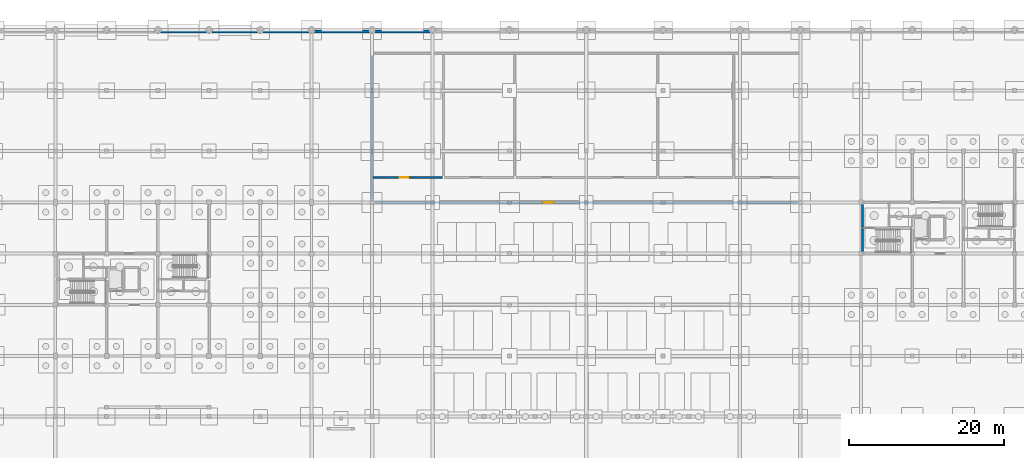
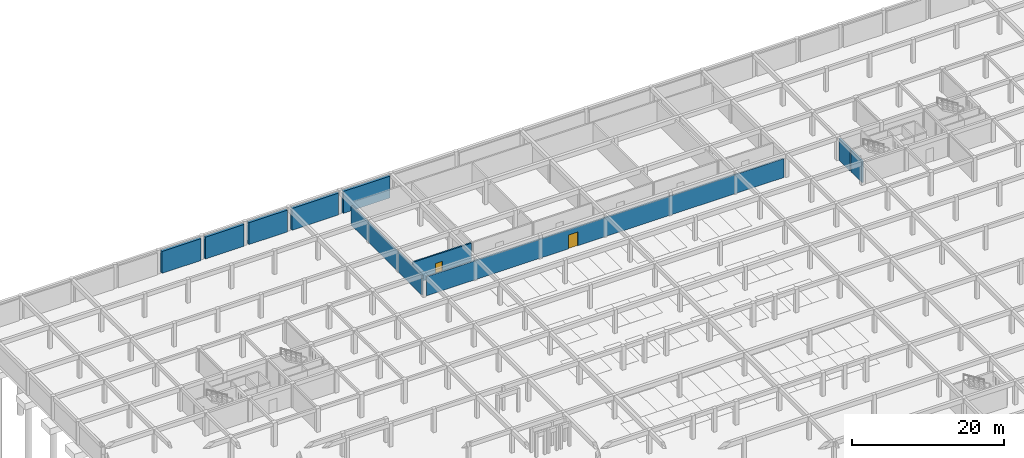
# One storey, part 27 of 37: 10 walls, 2 doors, 2 openings.
"""IFC4 building model written with IfcOpenShell, lengths in metres."""

from ifc_helpers import new_model, si_unit, direction, frame, frame_2d, origin, place, context, subcontext, project, spatial, rectangle, extrude, material, layer, layer_set, type_object, element, fill, save


model = new_model("IFC4")

# Units and contexts
model_context = context("Model", 3, precision=1e-05, world=origin(), true_north=direction((0.0, 1.0)))
body_context = subcontext(model_context, "Body", "Model", "MODEL_VIEW")
ifc_project = project(units=[si_unit("LENGTHUNIT", "METRE"), si_unit("AREAUNIT", "SQUARE_METRE"), si_unit("VOLUMEUNIT", "CUBIC_METRE"), si_unit("PLANEANGLEUNIT", "RADIAN"), si_unit("MASSUNIT", "GRAM", prefix="KILO")], contexts=[model_context])

# Site, building, storey
site_placement = place(None, origin())
site = spatial("IfcSite", under=ifc_project, at=site_placement, CompositionType="ELEMENT")
building_placement = place(site_placement, origin())
building = spatial("IfcBuilding", under=site, at=building_placement, Name="Kernevlak Ridge Housing Community", CompositionType="ELEMENT")
storey_placement = place(building_placement, frame((0.0, 0.0, -3.800048828125)))
storey = spatial("IfcBuildingStorey", under=building, at=storey_placement, Name="B1", CompositionType="ELEMENT", Elevation=-3.800048828125)

# Walls
ifc_material_1 = material(Name="Concrete C35/45", Category="concrete")
ifc_layer_1 = layer(ifc_material_1, 0.22509765625, Name="Concrete C35/45")
ifc_layer_set_1 = layer_set([ifc_layer_1], Name="Concrete C35/45")
wall_type_1 = type_object("IfcWallType", Name="PW-01", PredefinedType="STANDARD", material=ifc_layer_set_1)
for number, where, z_axis, x_axis, name in (
    (1, (119.60009765625, 89.47998046875, 0.0), (0.0, 0.0, 1.0), (0.0, 1.0, 0.0), "Interior wall PW-01 WAL-INT-B1-1156"),
    (2, (119.60009765625, 92.62255859375, 0.0), (0.0, 0.0, 1.0), (0.0, 1.0, 0.0), "Interior wall PW-01 WAL-INT-B1-1156-S2"),
):
    element("IfcWall", number, at=place(storey_placement, frame(where, z_axis=z_axis, x_axis=x_axis)), inside=storey, type_object=wall_type_1, Name=name, PredefinedType="STANDARD", context=body_context, shape_type="SweptSolid", body=[
        extrude(rectangle(XDim=2.8974609375, YDim=0.22509765625, at=frame_2d((1.44873046875, 0.0))), origin(), (0.0, 0.0, 1.0), 3.52001953125),
    ])

# Wall, opening, door
wall_1_placement = place(storey_placement, frame((56.800048828125, 95.800048828125, 0.0), z_axis=(0.0, 0.0, 1.0), x_axis=(1.0, 0.0, 0.0)))
wall_1 = element("IfcWall", 3, at=wall_1_placement, inside=storey, type_object=wall_type_1, Name="Interior wall PW-01 WAL-INT-B1-3519", PredefinedType="STANDARD", context=body_context, shape_type="SweptSolid", body=[
    extrude(rectangle(XDim=54.39990234375, YDim=0.22509765625, at=frame_2d((27.199951171875, 0.0))), origin(), (0.0, 0.0, 1.0), 3.050048828125),
])
opening_1_placement = place(wall_1_placement, frame((21.60009765625, 0.0, 0.0)))
opening_1 = element("IfcOpeningElement", 4, at=opening_1_placement, cuts=wall_1, Name="Opening E784", PredefinedType="OPENING", context=body_context, shape_type="SweptSolid", body=[
    extrude(rectangle(XDim=1.39990234375, YDim=2.219970703125, at=frame_2d((0.699951171875, 1.10986328125))), frame((0.0, 0.12255859375, 0.0), z_axis=(0.0, -1.0, 0.0), x_axis=(1.0, 0.0, 0.0)), (0.0, 0.0, 1.0), 0.2451171875),
])
ifc_material_2 = material(Name="Fire-rated sheet steel leaf", Category="steel")
door_type_1 = type_object("IfcDoorType", Name="DT-18", OperationType="DOUBLE_DOOR_SINGLE_SWING", PredefinedType="DOOR", material=ifc_material_2)
door_1_placement = place(opening_1_placement, origin())
door_1 = element("IfcDoor", 5, at=door_1_placement, inside=storey, type_object=door_type_1, Name="B1 plant corridor double fire door E784", OperationType="DOUBLE_DOOR_SINGLE_SWING", OverallHeight=2.219970703125, OverallWidth=1.39990234375, PredefinedType="DOOR", context=body_context, shape_type="SweptSolid", body=[
    extrude(rectangle(XDim=1.39990234375, YDim=2.219970703125, at=frame_2d((0.699951171875, 1.10986328125))), frame((0.0, 0.02490234375, 0.0), z_axis=(0.0, -1.0, 0.0), x_axis=(1.0, 0.0, 0.0)), (0.0, 0.0, 1.0), 0.050048828125),
])
fill(opening_1, door_1)

# Wall
wall_2_placement = place(storey_placement, frame((56.39990234375, 96.179931640625, 0.0), z_axis=(0.0, 0.0, 1.0), x_axis=(0.0, 1.0, 0.0)))
element("IfcWall", 6, at=wall_2_placement, inside=storey, type_object=wall_type_1, Name="Interior wall PW-01 WAL-INT-B1-3520", PredefinedType="STANDARD", context=body_context, shape_type="SweptSolid", body=[
    extrude(rectangle(XDim=18.5400390625, YDim=0.22509765625, at=frame_2d((9.27001953125, 0.0))), origin(), (0.0, 0.0, 1.0), 3.10009765625),
])

# Wall, opening, door
wall_3_placement = place(storey_placement, frame((56.550048828125, 99.0, 0.0), z_axis=(0.0, 0.0, 1.0), x_axis=(1.0, 0.0, 0.0)))
wall_3 = element("IfcWall", 7, at=wall_3_placement, inside=storey, type_object=wall_type_1, Name="Interior wall PW-01 WAL-INT-B1-3523", PredefinedType="STANDARD", context=body_context, shape_type="SweptSolid", body=[
    extrude(rectangle(XDim=8.89990234375, YDim=0.22509765625, at=frame_2d((4.449951171875, 0.0))), origin(), (0.0, 0.0, 1.0), 3.52001953125),
])
opening_2_placement = place(wall_3_placement, frame((3.39990234375, 0.0, 0.0)))
opening_2 = element("IfcOpeningElement", 8, at=opening_2_placement, cuts=wall_3, Name="Opening E785", PredefinedType="OPENING", context=body_context, shape_type="SweptSolid", body=[
    extrude(rectangle(XDim=1.10009765625, YDim=2.14990234375, at=frame_2d((0.550048828125, 1.074951171875))), frame((0.0, 0.12255859375, 0.0), z_axis=(0.0, -1.0, 0.0), x_axis=(1.0, 0.0, 0.0)), (0.0, 0.0, 1.0), 0.2451171875),
])
door_type_2 = type_object("IfcDoorType", Name="DT-06", OperationType="NOTDEFINED", PredefinedType="DOOR", material=ifc_material_2)
door_2_placement = place(opening_2_placement, origin())
door_2 = element("IfcDoor", 9, at=door_2_placement, inside=storey, type_object=door_type_2, Name="Domestic Water Tank Room fire door E785", OperationType="SINGLE_SWING_RIGHT", OverallHeight=2.14990234375, OverallWidth=1.10009765625, PredefinedType="DOOR", context=body_context, shape_type="SweptSolid", body=[
    extrude(rectangle(XDim=1.10009765625, YDim=2.14990234375, at=frame_2d((0.550048828125, 1.074951171875))), frame((0.0, 0.02490234375, 0.0), z_axis=(0.0, -1.0, 0.0), x_axis=(1.0, 0.0, 0.0)), (0.0, 0.0, 1.0), 0.050048828125),
])
fill(opening_2, door_2)

# Walls
ifc_material_3 = material(Name="Concrete C40/50", Category="concrete")
ifc_layer_2 = layer(ifc_material_3, 0.39990234375, Name="Concrete C40/50")
ifc_layer_set_2 = layer_set([ifc_layer_2], Name="Concrete C40/50")
wall_type_2 = type_object("IfcWallType", Name="RW-01", PredefinedType="USERDEFINED", material=ifc_layer_set_2)
wall_4_placement = place(storey_placement, frame((29.14990234375, 117.800048828125, 0.0), z_axis=(0.0, 0.0, 1.0), x_axis=(1.0, 0.0, 0.0)))
element("IfcWall", 10, at=wall_4_placement, inside=storey, type_object=wall_type_2, Name="Basement retaining wall RW-01 27", ObjectType="RETAININGWALL", PredefinedType="USERDEFINED", context=body_context, shape_type="SweptSolid", body=[
    extrude(rectangle(XDim=5.900146484375, YDim=0.39990234375, at=frame_2d((2.9501953125, 0.0))), origin(), (0.0, 0.0, 1.0), 3.52001953125),
])
for number, where, z_axis, x_axis, name in (
    (11, (35.75, 117.800048828125, 0.0), (0.0, 0.0, 1.0), (1.0, 0.0, 0.0), "Basement retaining wall RW-01 28"),
    (12, (42.35009765625, 117.800048828125, 0.0), (0.0, 0.0, 1.0), (1.0, 0.0, 0.0), "Basement retaining wall RW-01 29"),
):
    element("IfcWall", number, at=place(storey_placement, frame(where, z_axis=z_axis, x_axis=x_axis)), inside=storey, type_object=wall_type_2, Name=name, ObjectType="RETAININGWALL", PredefinedType="USERDEFINED", context=body_context, shape_type="SweptSolid", body=[
        extrude(rectangle(XDim=5.89990234375, YDim=0.39990234375, at=frame_2d((2.949951171875, 0.0))), origin(), (0.0, 0.0, 1.0), 3.52001953125),
    ])
for number, where, z_axis, x_axis, name in (
    (13, (48.949951171875, 117.800048828125, 0.0), (0.0, 0.0, 1.0), (1.0, 0.0, 0.0), "Basement retaining wall RW-01 30"),
    (14, (56.75, 117.800048828125, 0.0), (0.0, 0.0, 1.0), (1.0, 0.0, 0.0), "Basement retaining wall RW-01 31"),
):
    element("IfcWall", number, at=place(storey_placement, frame(where, z_axis=z_axis, x_axis=x_axis)), inside=storey, type_object=wall_type_2, Name=name, ObjectType="RETAININGWALL", PredefinedType="USERDEFINED", context=body_context, shape_type="SweptSolid", body=[
        extrude(rectangle(XDim=7.10009765625, YDim=0.39990234375, at=frame_2d((3.550048828125, 0.0))), origin(), (0.0, 0.0, 1.0), 3.52001953125),
    ])

save(model, "model.ifc")
